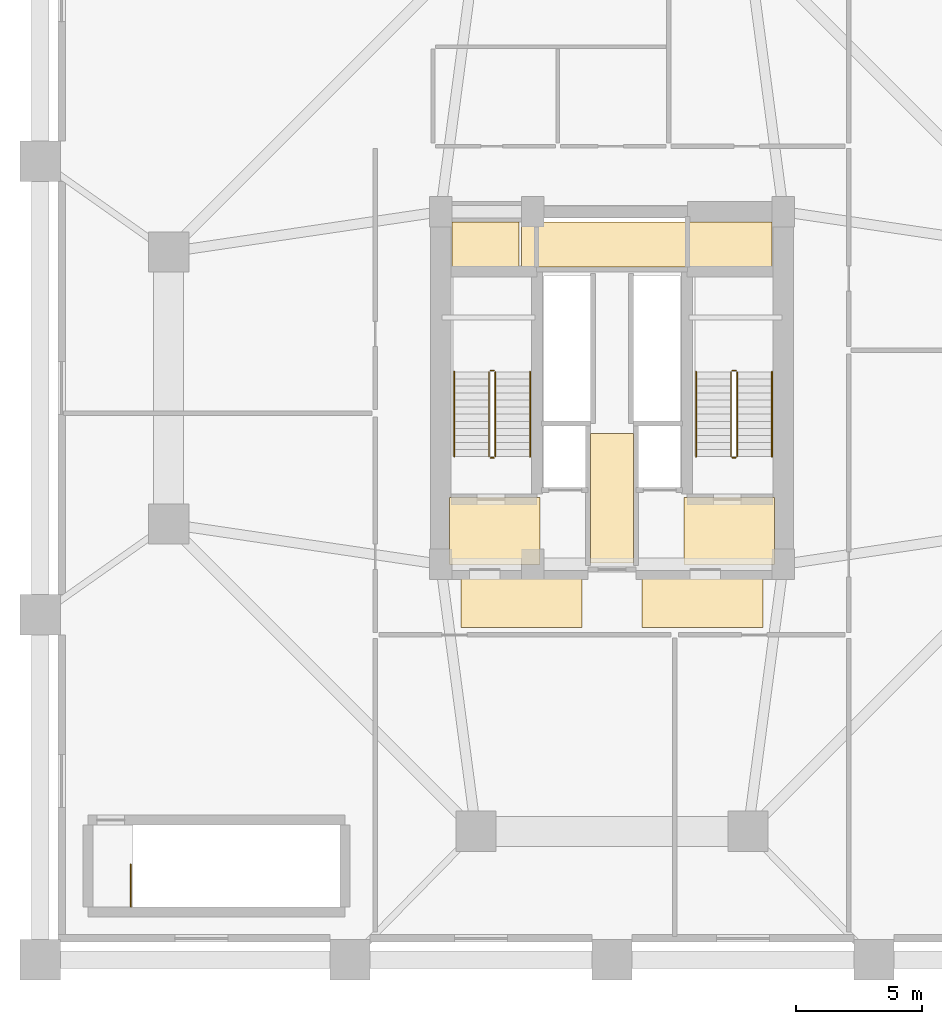
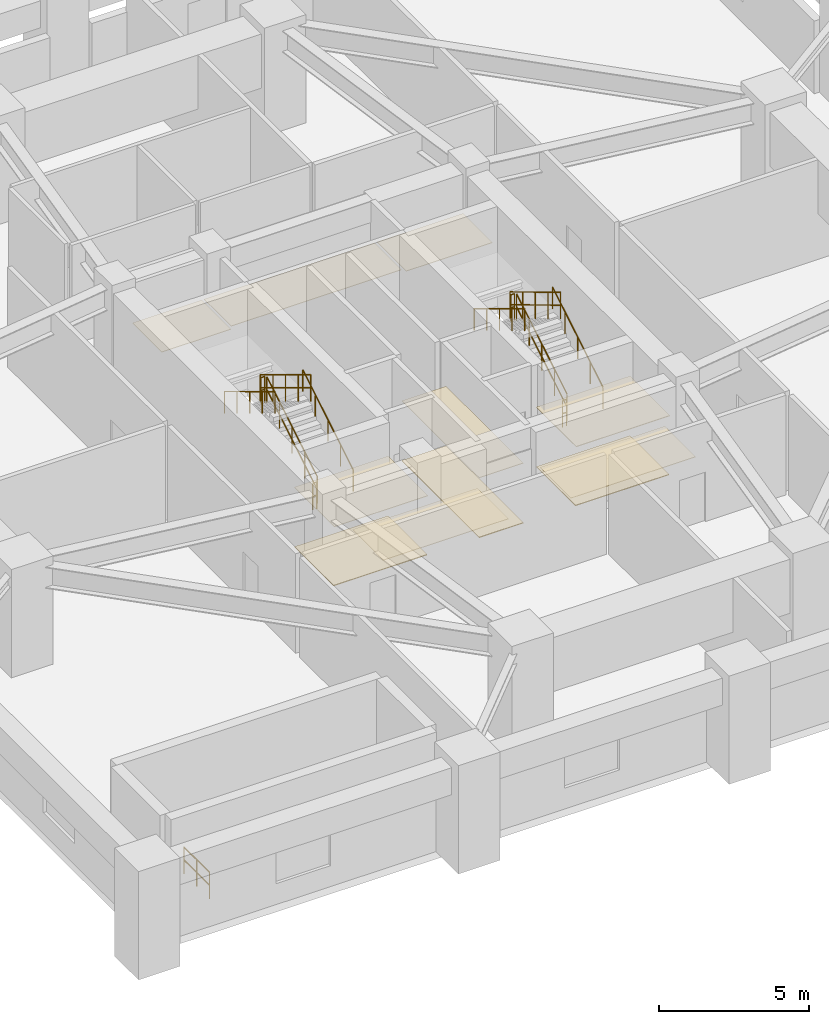
# One storey, part 7 of 8: 13 railings, 11 coverings.
"""IFC4 building model written with IfcOpenShell, lengths in metres."""

from ifc_helpers import new_model, si_unit, direction, frame, origin, origin_2d, place, context, subcontext, project, spatial, polyline, circle, outline, extrude, material, layer, layer_set, type_object, element, save


model = new_model("IFC4")

# Units and contexts
model_context = context("Model", 3, precision=1e-05, world=origin(), true_north=direction((0.0, 1.0)))
body_context = subcontext(model_context, "Body", "Model", "MODEL_VIEW")
ifc_project = project(units=[si_unit("LENGTHUNIT", "METRE"), si_unit("AREAUNIT", "SQUARE_METRE"), si_unit("VOLUMEUNIT", "CUBIC_METRE"), si_unit("PLANEANGLEUNIT", "RADIAN"), si_unit("MASSUNIT", "GRAM", prefix="KILO")], contexts=[model_context])

# Site, building, storey
site_placement = place(None, origin())
site = spatial("IfcSite", under=ifc_project, at=site_placement, CompositionType="ELEMENT")
building_placement = place(site_placement, origin())
building = spatial("IfcBuilding", under=site, at=building_placement, Name="Veraguas Prism Commons", CompositionType="ELEMENT")
storey_placement = place(building_placement, frame((0.0, 0.0, 18.39990234375)))
storey = spatial("IfcBuildingStorey", under=building, at=storey_placement, Name="L04", CompositionType="ELEMENT", Elevation=18.39990234375)

# Coverings
ifc_material_1 = material(Name="Acoustic gypsum board")
ifc_layer_1 = layer(ifc_material_1, 0.02490234375, Name="Perforated Acoustic Ceiling Tile 25")
ifc_layer_set_1 = layer_set([ifc_layer_1], Name="Acoustic gypsum board")
covering_type_1 = type_object("IfcCoveringType", Name="Perforated Acoustic Ceiling Tile 25", PredefinedType="USERDEFINED", material=ifc_layer_set_1)
covering_1_placement = place(storey_placement, frame((0.0, 0.0, 2.425048828125)))
element("IfcCovering", 1, at=covering_1_placement, inside=storey, type_object=covering_type_1, Name="East Lobby Acoustic Ceiling L04", ObjectType="ACOUSTIC CEILING", PredefinedType="USERDEFINED", context=body_context, shape_type="SweptSolid", body=[
    extrude(outline(polyline([(26.85009765625, 17.0), (30.449951171875, 17.0), (30.449951171875, 19.64990234375), (26.85009765625, 19.64990234375), (26.85009765625, 17.0)])), origin(), (0.0, 0.0, 1.0), 0.025146484375),
])
ifc_material_2 = material(Name="Terrazzo stone finish", Category="masonry")
ifc_layer_2 = layer(ifc_material_2, 0.030029296875, Name="Polished Terrazzo Floor Finish 30", Category="masonry")
ifc_layer_set_2 = layer_set([ifc_layer_2], Name="Terrazzo stone finish")
covering_type_2 = type_object("IfcCoveringType", Name="Polished Terrazzo Floor Finish 30", PredefinedType="FLOORING", material=ifc_layer_set_2)
covering_2_placement = place(storey_placement, origin())
element("IfcCovering", 2, at=covering_2_placement, inside=storey, type_object=covering_type_2, Name="Terrazzo Lobby Flooring L04", PredefinedType="FLOORING", context=body_context, shape_type="SweptSolid", body=[
    extrude(outline(polyline([(23.14990234375, 17.050048828125), (24.85009765625, 17.050048828125), (24.85009765625, 22.199951171875), (23.14990234375, 22.199951171875), (23.14990234375, 17.050048828125)])), origin(), (0.0, 0.0, 1.0), 0.030029296875),
])
covering_3_placement = place(storey_placement, origin())
element("IfcCovering", 3, at=covering_3_placement, inside=storey, type_object=covering_type_2, Name="West FF Lobby Terrazzo Flooring L04", PredefinedType="FLOORING", context=body_context, shape_type="SweptSolid", body=[
    extrude(outline(polyline([(17.550048828125, 17.050048828125), (21.14990234375, 17.050048828125), (21.14990234375, 19.64990234375), (17.550048828125, 19.64990234375), (17.550048828125, 17.050048828125)])), origin(), (0.0, 0.0, 1.0), 0.030029296875),
])
covering_4_placement = place(storey_placement, origin())
element("IfcCovering", 4, at=covering_4_placement, inside=storey, type_object=covering_type_2, Name="East FF Lobby Terrazzo Flooring L04", PredefinedType="FLOORING", context=body_context, shape_type="SweptSolid", body=[
    extrude(outline(polyline([(26.85009765625, 17.050048828125), (30.449951171875, 17.050048828125), (30.449951171875, 19.64990234375), (26.85009765625, 19.64990234375), (26.85009765625, 17.050048828125)])), origin(), (0.0, 0.0, 1.0), 0.030029296875),
])

# Railings
ifc_material_3 = material(Name="Stainless steel AISI 316", Category="steel")
railing_type_1 = type_object("IfcRailingType", Name="Stair and Ramp Stainless Handrail 900", PredefinedType="HANDRAIL", material=ifc_material_3)
railing_1_placement = place(storey_placement, frame((20.75, 21.280029296875, 0.16943359375)))
element("IfcRailing", 5, at=railing_1_placement, inside=storey, type_object=railing_type_1, Name="Stair Handrail ST-01 L04-1", PredefinedType="HANDRAIL", context=body_context, shape_type="SweptSolid", body=[
    extrude(circle(Radius=0.02392578125, at=origin_2d()), frame((0.0, 0.0, 0.8759765625), z_axis=(0.0, 0.855820338506, 0.51727318527), x_axis=(-1.0, 0.0, 0.0)), (0.0, 0.0, 1.0), 3.92578125),
    extrude(circle(Radius=0.02099609375, at=origin_2d()), origin(), (0.0, 0.0, 1.0), 0.851806640625),
    extrude(circle(Radius=0.02099609375, at=origin_2d()), frame((0.0, 0.83984375, 0.5078125)), (0.0, 0.0, 1.0), 0.851806640625),
    extrude(circle(Radius=0.02099609375, at=origin_2d()), frame((0.0, 1.679931640625, 1.015380859375)), (0.0, 0.0, 1.0), 0.851806640625),
    extrude(circle(Radius=0.02099609375, at=origin_2d()), frame((0.0, 2.52001953125, 1.52294921875)), (0.0, 0.0, 1.0), 0.851806640625),
    extrude(circle(Radius=0.02099609375, at=origin_2d()), frame((0.0, 3.35986328125, 2.03076171875)), (0.0, 0.0, 1.0), 0.851806640625),
])
railing_2_placement = place(storey_placement, frame((17.739990234375, 24.639892578125, 2.369384765625)))
element("IfcRailing", 6, at=railing_2_placement, inside=storey, type_object=railing_type_1, Name="Stair Handrail ST-01 L04-2", PredefinedType="HANDRAIL", context=body_context, shape_type="SweptSolid", body=[
    extrude(circle(Radius=0.02392578125, at=origin_2d()), frame((0.0, 0.0, 0.8759765625), z_axis=(0.0, -0.855820338506, 0.51727318527), x_axis=(1.0, 0.0, 0.0)), (0.0, 0.0, 1.0), 3.92578125),
    extrude(circle(Radius=0.02099609375, at=origin_2d()), origin(), (0.0, 0.0, 1.0), 0.851806640625),
    extrude(circle(Radius=0.02099609375, at=origin_2d()), frame((0.0, -0.83984375, 0.5078125)), (0.0, 0.0, 1.0), 0.851806640625),
    extrude(circle(Radius=0.02099609375, at=origin_2d()), frame((0.0, -1.679931640625, 1.015380859375)), (0.0, 0.0, 1.0), 0.851806640625),
    extrude(circle(Radius=0.02099609375, at=origin_2d()), frame((0.0, -2.52001953125, 1.52294921875)), (0.0, 0.0, 1.0), 0.851806640625),
    extrude(circle(Radius=0.02099609375, at=origin_2d()), frame((0.0, -3.35986328125, 2.03076171875)), (0.0, 0.0, 1.0), 0.851806640625),
])
railing_3_placement = place(storey_placement, frame((30.35009765625, 21.280029296875, 0.16943359375)))
element("IfcRailing", 7, at=railing_3_placement, inside=storey, type_object=railing_type_1, Name="Stair Handrail ST-02 L04-1", PredefinedType="HANDRAIL", context=body_context, shape_type="SweptSolid", body=[
    extrude(circle(Radius=0.02392578125, at=origin_2d()), frame((0.0, 0.0, 0.8759765625), z_axis=(0.0, 0.855820338506, 0.51727318527), x_axis=(-1.0, 0.0, 0.0)), (0.0, 0.0, 1.0), 3.92578125),
    extrude(circle(Radius=0.02099609375, at=origin_2d()), origin(), (0.0, 0.0, 1.0), 0.851806640625),
    extrude(circle(Radius=0.02099609375, at=origin_2d()), frame((0.0, 0.83984375, 0.5078125)), (0.0, 0.0, 1.0), 0.851806640625),
    extrude(circle(Radius=0.02099609375, at=origin_2d()), frame((0.0, 1.679931640625, 1.015380859375)), (0.0, 0.0, 1.0), 0.851806640625),
    extrude(circle(Radius=0.02099609375, at=origin_2d()), frame((0.0, 2.52001953125, 1.52294921875)), (0.0, 0.0, 1.0), 0.851806640625),
    extrude(circle(Radius=0.02099609375, at=origin_2d()), frame((0.0, 3.35986328125, 2.03076171875)), (0.0, 0.0, 1.0), 0.851806640625),
])
railing_4_placement = place(storey_placement, frame((27.340087890625, 24.639892578125, 2.369384765625)))
element("IfcRailing", 8, at=railing_4_placement, inside=storey, type_object=railing_type_1, Name="Stair Handrail ST-02 L04-2", PredefinedType="HANDRAIL", context=body_context, shape_type="SweptSolid", body=[
    extrude(circle(Radius=0.02392578125, at=origin_2d()), frame((0.0, 0.0, 0.8759765625), z_axis=(0.0, -0.855820338506, 0.51727318527), x_axis=(1.0, 0.0, 0.0)), (0.0, 0.0, 1.0), 3.92578125),
    extrude(circle(Radius=0.02099609375, at=origin_2d()), origin(), (0.0, 0.0, 1.0), 0.851806640625),
    extrude(circle(Radius=0.02099609375, at=origin_2d()), frame((0.0, -0.83984375, 0.5078125)), (0.0, 0.0, 1.0), 0.851806640625),
    extrude(circle(Radius=0.02099609375, at=origin_2d()), frame((0.0, -1.679931640625, 1.015380859375)), (0.0, 0.0, 1.0), 0.851806640625),
    extrude(circle(Radius=0.02099609375, at=origin_2d()), frame((0.0, -2.52001953125, 1.52294921875)), (0.0, 0.0, 1.0), 0.851806640625),
    extrude(circle(Radius=0.02099609375, at=origin_2d()), frame((0.0, -3.35986328125, 2.03076171875)), (0.0, 0.0, 1.0), 0.851806640625),
])
railing_type_2 = type_object("IfcRailingType", Name="Stairwell Safety Guardrail 1100", PredefinedType="GUARDRAIL", material=ifc_material_3)
railing_5_placement = place(storey_placement, frame((19.3701171875, 21.280029296875, 0.16943359375)))
element("IfcRailing", 9, at=railing_5_placement, inside=storey, type_object=railing_type_2, Name="Stair Guard ST-01 L04-1", PredefinedType="GUARDRAIL", context=body_context, shape_type="SweptSolid", body=[
    extrude(circle(Radius=0.02392578125, at=origin_2d()), frame((0.0, 0.0, 1.076171875), z_axis=(0.0, 0.855820338506, 0.51727318527), x_axis=(-1.0, 0.0, 0.0)), (0.0, 0.0, 1.0), 3.92578125),
    extrude(circle(Radius=0.02392578125, at=origin_2d()), frame((0.0, 0.0, 0.550048828125), z_axis=(0.0, 0.855820338506, 0.51727318527), x_axis=(-1.0, 0.0, 0.0)), (0.0, 0.0, 1.0), 3.92578125),
    extrude(circle(Radius=0.02099609375, at=origin_2d()), origin(), (0.0, 0.0, 1.0), 1.052001953125),
    extrude(circle(Radius=0.02099609375, at=origin_2d()), frame((0.0, 0.83984375, 0.5078125)), (0.0, 0.0, 1.0), 1.052001953125),
    extrude(circle(Radius=0.02099609375, at=origin_2d()), frame((0.0, 1.679931640625, 1.015380859375)), (0.0, 0.0, 1.0), 1.052001953125),
    extrude(circle(Radius=0.02099609375, at=origin_2d()), frame((0.0, 2.52001953125, 1.52294921875)), (0.0, 0.0, 1.0), 1.052001953125),
    extrude(circle(Radius=0.02099609375, at=origin_2d()), frame((0.0, 3.35986328125, 2.03076171875)), (0.0, 0.0, 1.0), 1.052001953125),
])
railing_6_placement = place(storey_placement, frame((19.320068359375, 24.68994140625, 2.2001953125)))
element("IfcRailing", 10, at=railing_6_placement, inside=storey, type_object=railing_type_2, Name="Stair Guard ST-01 L04-2", PredefinedType="GUARDRAIL", context=body_context, shape_type="SweptSolid", body=[
    extrude(circle(Radius=0.02392578125, at=origin_2d()), frame((0.0, 0.0, 1.076171875), z_axis=(-1.0, 0.0, 0.0), x_axis=(0.0, -1.0, 0.0)), (0.0, 0.0, 1.0), 0.150146484375),
    extrude(circle(Radius=0.02392578125, at=origin_2d()), frame((0.0, 0.0, 0.550048828125), z_axis=(-1.0, 0.0, 0.0), x_axis=(0.0, -1.0, 0.0)), (0.0, 0.0, 1.0), 0.150146484375),
    extrude(circle(Radius=0.02099609375, at=origin_2d()), origin(), (0.0, 0.0, 1.0), 1.052001953125),
    extrude(circle(Radius=0.02099609375, at=origin_2d()), frame((-0.150146484375, 0.0, 0.0)), (0.0, 0.0, 1.0), 1.052001953125),
])
railing_7_placement = place(storey_placement, frame((19.1201171875, 24.639892578125, 2.369384765625)))
element("IfcRailing", 11, at=railing_7_placement, inside=storey, type_object=railing_type_2, Name="Stair Guard ST-01 L04-3", PredefinedType="GUARDRAIL", context=body_context, shape_type="SweptSolid", body=[
    extrude(circle(Radius=0.02392578125, at=origin_2d()), frame((0.0, 0.0, 1.076171875), z_axis=(0.0, -0.855820338506, 0.51727318527), x_axis=(1.0, 0.0, 0.0)), (0.0, 0.0, 1.0), 3.92578125),
    extrude(circle(Radius=0.02392578125, at=origin_2d()), frame((0.0, 0.0, 0.550048828125), z_axis=(0.0, -0.855820338506, 0.51727318527), x_axis=(1.0, 0.0, 0.0)), (0.0, 0.0, 1.0), 3.92578125),
    extrude(circle(Radius=0.02099609375, at=origin_2d()), origin(), (0.0, 0.0, 1.0), 1.052001953125),
    extrude(circle(Radius=0.02099609375, at=origin_2d()), frame((0.0, -0.83984375, 0.5078125)), (0.0, 0.0, 1.0), 1.052001953125),
    extrude(circle(Radius=0.02099609375, at=origin_2d()), frame((0.0, -1.679931640625, 1.015380859375)), (0.0, 0.0, 1.0), 1.052001953125),
    extrude(circle(Radius=0.02099609375, at=origin_2d()), frame((0.0, -2.52001953125, 1.52294921875)), (0.0, 0.0, 1.0), 1.052001953125),
    extrude(circle(Radius=0.02099609375, at=origin_2d()), frame((0.0, -3.35986328125, 2.03076171875)), (0.0, 0.0, 1.0), 1.052001953125),
])
railing_8_placement = place(storey_placement, frame((19.320068359375, 21.22998046875, 0.0)))
element("IfcRailing", 12, at=railing_8_placement, inside=storey, type_object=railing_type_2, Name="Stair Guard ST-01 L04-4", PredefinedType="GUARDRAIL", context=body_context, shape_type="SweptSolid", body=[
    extrude(circle(Radius=0.02392578125, at=origin_2d()), frame((0.0, 0.0, 1.076171875), z_axis=(-1.0, 0.0, 0.0), x_axis=(0.0, -1.0, 0.0)), (0.0, 0.0, 1.0), 0.150146484375),
    extrude(circle(Radius=0.02392578125, at=origin_2d()), frame((0.0, 0.0, 0.550048828125), z_axis=(-1.0, 0.0, 0.0), x_axis=(0.0, -1.0, 0.0)), (0.0, 0.0, 1.0), 0.150146484375),
    extrude(circle(Radius=0.02099609375, at=origin_2d()), origin(), (0.0, 0.0, 1.0), 1.052001953125),
    extrude(circle(Radius=0.02099609375, at=origin_2d()), frame((-0.150146484375, 0.0, 0.0)), (0.0, 0.0, 1.0), 1.052001953125),
])
railing_9_placement = place(storey_placement, frame((28.969970703125, 21.280029296875, 0.16943359375)))
element("IfcRailing", 13, at=railing_9_placement, inside=storey, type_object=railing_type_2, Name="Stair Guard ST-02 L04-1", PredefinedType="GUARDRAIL", context=body_context, shape_type="SweptSolid", body=[
    extrude(circle(Radius=0.02392578125, at=origin_2d()), frame((0.0, 0.0, 1.076171875), z_axis=(0.0, 0.855820338506, 0.51727318527), x_axis=(-1.0, 0.0, 0.0)), (0.0, 0.0, 1.0), 3.92578125),
    extrude(circle(Radius=0.02392578125, at=origin_2d()), frame((0.0, 0.0, 0.550048828125), z_axis=(0.0, 0.855820338506, 0.51727318527), x_axis=(-1.0, 0.0, 0.0)), (0.0, 0.0, 1.0), 3.92578125),
    extrude(circle(Radius=0.02099609375, at=origin_2d()), origin(), (0.0, 0.0, 1.0), 1.052001953125),
    extrude(circle(Radius=0.02099609375, at=origin_2d()), frame((0.0, 0.83984375, 0.5078125)), (0.0, 0.0, 1.0), 1.052001953125),
    extrude(circle(Radius=0.02099609375, at=origin_2d()), frame((0.0, 1.679931640625, 1.015380859375)), (0.0, 0.0, 1.0), 1.052001953125),
    extrude(circle(Radius=0.02099609375, at=origin_2d()), frame((0.0, 2.52001953125, 1.52294921875)), (0.0, 0.0, 1.0), 1.052001953125),
    extrude(circle(Radius=0.02099609375, at=origin_2d()), frame((0.0, 3.35986328125, 2.03076171875)), (0.0, 0.0, 1.0), 1.052001953125),
])
railing_10_placement = place(storey_placement, frame((28.919921875, 24.68994140625, 2.2001953125)))
element("IfcRailing", 14, at=railing_10_placement, inside=storey, type_object=railing_type_2, Name="Stair Guard ST-02 L04-2", PredefinedType="GUARDRAIL", context=body_context, shape_type="SweptSolid", body=[
    extrude(circle(Radius=0.02392578125, at=origin_2d()), frame((0.0, 0.0, 1.076171875), z_axis=(-1.0, 0.0, 0.0), x_axis=(0.0, -1.0, 0.0)), (0.0, 0.0, 1.0), 0.14990234375),
    extrude(circle(Radius=0.02392578125, at=origin_2d()), frame((0.0, 0.0, 0.550048828125), z_axis=(-1.0, 0.0, 0.0), x_axis=(0.0, -1.0, 0.0)), (0.0, 0.0, 1.0), 0.14990234375),
    extrude(circle(Radius=0.02099609375, at=origin_2d()), origin(), (0.0, 0.0, 1.0), 1.052001953125),
    extrude(circle(Radius=0.02099609375, at=origin_2d()), frame((-0.14990234375, 0.0, 0.0)), (0.0, 0.0, 1.0), 1.052001953125),
])
railing_11_placement = place(storey_placement, frame((28.719970703125, 24.639892578125, 2.369384765625)))
element("IfcRailing", 15, at=railing_11_placement, inside=storey, type_object=railing_type_2, Name="Stair Guard ST-02 L04-3", PredefinedType="GUARDRAIL", context=body_context, shape_type="SweptSolid", body=[
    extrude(circle(Radius=0.02392578125, at=origin_2d()), frame((0.0, 0.0, 1.076171875), z_axis=(0.0, -0.855820338506, 0.51727318527), x_axis=(1.0, 0.0, 0.0)), (0.0, 0.0, 1.0), 3.92578125),
    extrude(circle(Radius=0.02392578125, at=origin_2d()), frame((0.0, 0.0, 0.550048828125), z_axis=(0.0, -0.855820338506, 0.51727318527), x_axis=(1.0, 0.0, 0.0)), (0.0, 0.0, 1.0), 3.92578125),
    extrude(circle(Radius=0.02099609375, at=origin_2d()), origin(), (0.0, 0.0, 1.0), 1.052001953125),
    extrude(circle(Radius=0.02099609375, at=origin_2d()), frame((0.0, -0.83984375, 0.5078125)), (0.0, 0.0, 1.0), 1.052001953125),
    extrude(circle(Radius=0.02099609375, at=origin_2d()), frame((0.0, -1.679931640625, 1.015380859375)), (0.0, 0.0, 1.0), 1.052001953125),
    extrude(circle(Radius=0.02099609375, at=origin_2d()), frame((0.0, -2.52001953125, 1.52294921875)), (0.0, 0.0, 1.0), 1.052001953125),
    extrude(circle(Radius=0.02099609375, at=origin_2d()), frame((0.0, -3.35986328125, 2.03076171875)), (0.0, 0.0, 1.0), 1.052001953125),
])
railing_12_placement = place(storey_placement, frame((28.919921875, 21.22998046875, 0.0)))
element("IfcRailing", 16, at=railing_12_placement, inside=storey, type_object=railing_type_2, Name="Stair Guard ST-02 L04-4", PredefinedType="GUARDRAIL", context=body_context, shape_type="SweptSolid", body=[
    extrude(circle(Radius=0.02392578125, at=origin_2d()), frame((0.0, 0.0, 1.076171875), z_axis=(-1.0, 0.0, 0.0), x_axis=(0.0, -1.0, 0.0)), (0.0, 0.0, 1.0), 0.14990234375),
    extrude(circle(Radius=0.02392578125, at=origin_2d()), frame((0.0, 0.0, 0.550048828125), z_axis=(-1.0, 0.0, 0.0), x_axis=(0.0, -1.0, 0.0)), (0.0, 0.0, 1.0), 0.14990234375),
    extrude(circle(Radius=0.02099609375, at=origin_2d()), origin(), (0.0, 0.0, 1.0), 1.052001953125),
    extrude(circle(Radius=0.02099609375, at=origin_2d()), frame((-0.14990234375, 0.0, 0.0)), (0.0, 0.0, 1.0), 1.052001953125),
])
railing_13_placement = place(storey_placement, frame((4.89990234375, 3.39990234375, 0.0)))
element("IfcRailing", 17, at=railing_13_placement, inside=storey, type_object=railing_type_2, Name="Top Stairwell Guard ST-M1 1", PredefinedType="GUARDRAIL", context=body_context, shape_type="SweptSolid", body=[
    extrude(circle(Radius=0.02392578125, at=origin_2d()), frame((0.0, 0.0, 1.076171875), z_axis=(0.0, 1.0, 0.0), x_axis=(-1.0, 0.0, 0.0)), (0.0, 0.0, 1.0), 1.7001953125),
    extrude(circle(Radius=0.02392578125, at=origin_2d()), frame((0.0, 0.0, 0.550048828125), z_axis=(0.0, 1.0, 0.0), x_axis=(-1.0, 0.0, 0.0)), (0.0, 0.0, 1.0), 1.7001953125),
    extrude(circle(Radius=0.02099609375, at=origin_2d()), origin(), (0.0, 0.0, 1.0), 1.052001953125),
    extrude(circle(Radius=0.02099609375, at=origin_2d()), frame((0.0, 0.85009765625, 0.0)), (0.0, 0.0, 1.0), 1.052001953125),
    extrude(circle(Radius=0.02099609375, at=origin_2d()), frame((0.0, 1.7001953125, 0.0)), (0.0, 0.0, 1.0), 1.052001953125),
])

# Coverings
ifc_layer_3 = layer(ifc_material_1, 0.02001953125, Name="Suspended Gypsum Ceiling 20")
ifc_layer_set_3 = layer_set([ifc_layer_3], Name="Acoustic gypsum board")
covering_type_3 = type_object("IfcCoveringType", Name="Suspended Gypsum Ceiling 20", PredefinedType="CEILING", material=ifc_layer_set_3)
covering_5_placement = place(storey_placement, frame((0.0, 0.0, 2.43017578125)))
element("IfcCovering", 18, at=covering_5_placement, inside=storey, type_object=covering_type_3, Name="West Lobby Suspended Gypsum Ceiling L04", PredefinedType="CEILING", context=body_context, shape_type="SweptSolid", body=[
    extrude(outline(polyline([(17.550048828125, 17.0), (21.14990234375, 17.0), (21.14990234375, 19.64990234375), (17.550048828125, 19.64990234375), (17.550048828125, 17.0)])), origin(), (0.0, 0.0, 1.0), 0.02001953125),
])
covering_6_placement = place(storey_placement, frame((0.0, 0.0, 2.43017578125)))
element("IfcCovering", 19, at=covering_6_placement, inside=storey, type_object=covering_type_3, Name="Core Lobby Acoustic Ceiling L04-1", PredefinedType="CEILING", context=body_context, shape_type="SweptSolid", body=[
    extrude(outline(polyline([(18.0, 14.5), (22.800048828125, 14.5), (22.800048828125, 16.550048828125), (18.0, 16.550048828125), (18.0, 14.5)])), origin(), (0.0, 0.0, 1.0), 0.02001953125),
])
covering_7_placement = place(storey_placement, frame((0.0, 0.0, 2.43017578125)))
element("IfcCovering", 20, at=covering_7_placement, inside=storey, type_object=covering_type_3, Name="Core Lobby Acoustic Ceiling L04-2", PredefinedType="CEILING", context=body_context, shape_type="SweptSolid", body=[
    extrude(outline(polyline([(25.199951171875, 14.5), (30.0, 14.5), (30.0, 16.550048828125), (25.199951171875, 16.550048828125), (25.199951171875, 14.5)])), origin(), (0.0, 0.0, 1.0), 0.02001953125),
])
covering_8_placement = place(storey_placement, frame((0.0, 0.0, 2.43017578125)))
element("IfcCovering", 21, at=covering_8_placement, inside=storey, type_object=covering_type_3, Name="Core Lobby Acoustic Ceiling L04-3", PredefinedType="CEILING", context=body_context, shape_type="SweptSolid", body=[
    extrude(outline(polyline([(23.14990234375, 17.050048828125), (24.85009765625, 17.050048828125), (24.85009765625, 22.199951171875), (23.14990234375, 22.199951171875), (23.14990234375, 17.050048828125)])), origin(), (0.0, 0.0, 1.0), 0.02001953125),
])
covering_9_placement = place(storey_placement, frame((0.0, 0.0, 2.43017578125)))
element("IfcCovering", 22, at=covering_9_placement, inside=storey, type_object=covering_type_3, Name="Core Lobby Acoustic Ceiling L04-4", PredefinedType="CEILING", context=body_context, shape_type="SweptSolid", body=[
    extrude(outline(polyline([(17.64990234375, 28.64990234375), (20.300048828125, 28.64990234375), (20.300048828125, 30.60009765625), (17.64990234375, 30.60009765625), (17.64990234375, 28.64990234375)])), origin(), (0.0, 0.0, 1.0), 0.02001953125),
])
covering_10_placement = place(storey_placement, frame((0.0, 0.0, 2.43017578125)))
element("IfcCovering", 23, at=covering_10_placement, inside=storey, type_object=covering_type_3, Name="Core Lobby Acoustic Ceiling L04-5", PredefinedType="CEILING", context=body_context, shape_type="SweptSolid", body=[
    extrude(outline(polyline([(27.050048828125, 28.64990234375), (30.35009765625, 28.64990234375), (30.35009765625, 30.60009765625), (27.050048828125, 30.60009765625), (27.050048828125, 28.64990234375)])), origin(), (0.0, 0.0, 1.0), 0.02001953125),
])
covering_11_placement = place(storey_placement, frame((0.0, 0.0, 2.43017578125)))
element("IfcCovering", 24, at=covering_11_placement, inside=storey, type_object=covering_type_3, Name="Core Lobby Acoustic Ceiling L04-6", PredefinedType="CEILING", context=body_context, shape_type="SweptSolid", body=[
    extrude(outline(polyline([(20.39990234375, 28.800048828125), (26.949951171875, 28.800048828125), (26.949951171875, 30.60009765625), (20.39990234375, 30.60009765625), (20.39990234375, 28.800048828125)])), origin(), (0.0, 0.0, 1.0), 0.02001953125),
])

save(model, "model.ifc")
